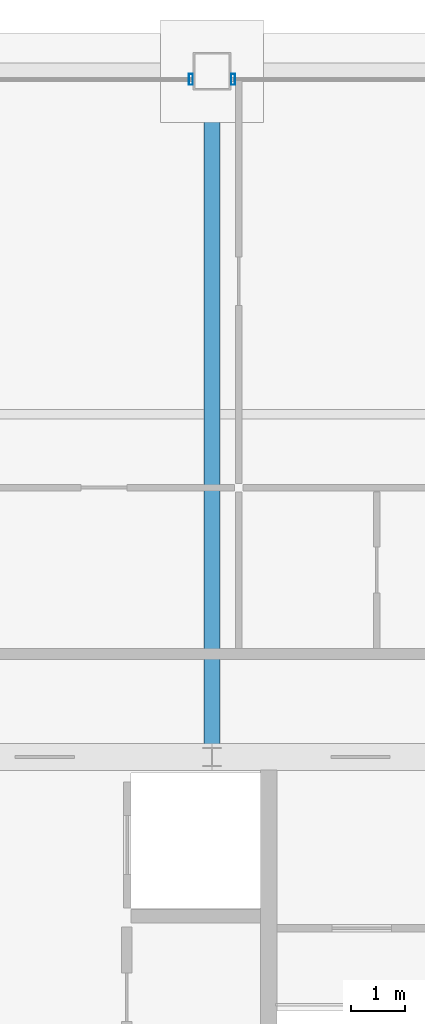
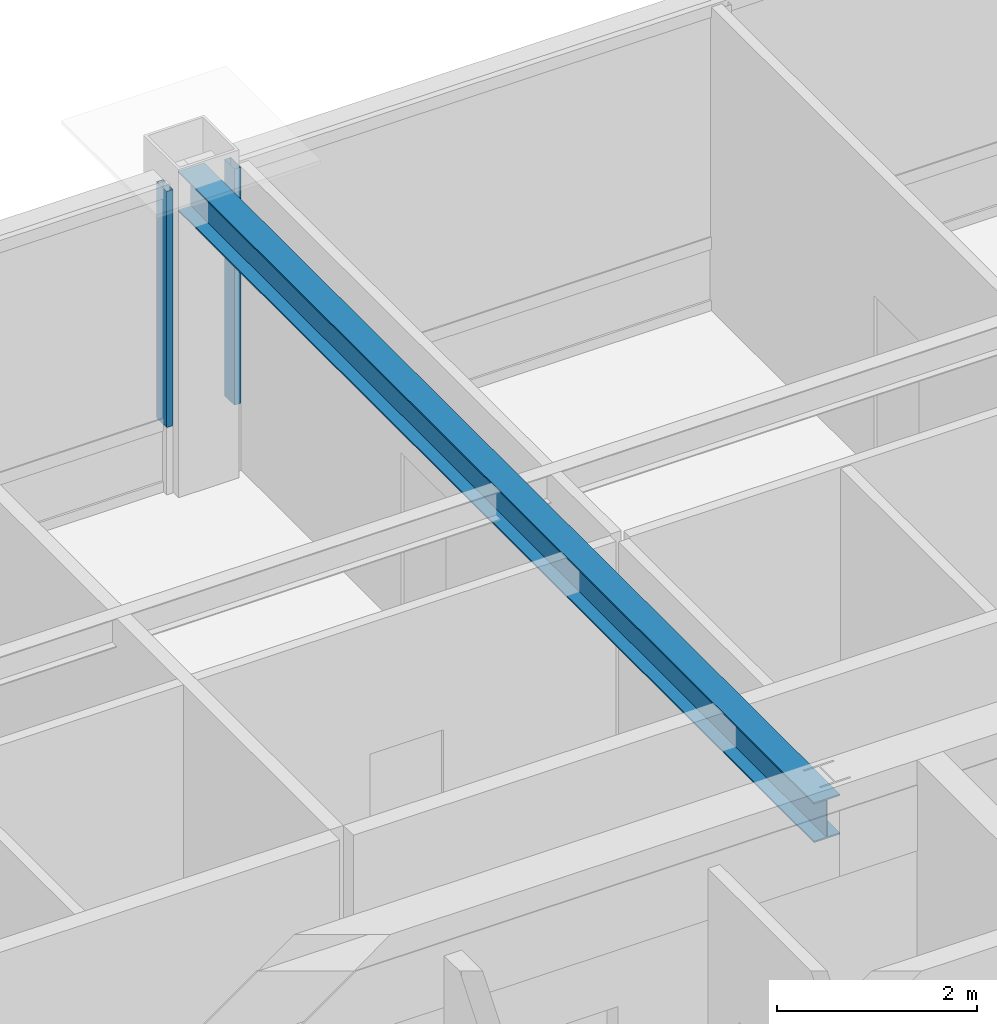
# One storey, part 18 of 34: 2 members, 1 beam, 2 elements without a shape of their own.
"""IFC4 building model written with IfcOpenShell, lengths in metres."""

import ifcopenshell
import ifcopenshell.guid

model = None  # the IFC model being written
_history = None  # IfcOwnerHistory: only IFC2X3 demands one
_inside = {}  # id of a spatial element -> (the spatial element, [elements in it])
_under = {}  # id of a project, library or spatial element -> (it, [spatial elements below it])
_declared = {}  # id of a project -> (the project, [libraries it declares])
_typed = {}  # id of a type object -> (the type object, [elements of that type])
_made_of = {}  # id of a material, layer set ... -> (it, [elements and type objects made of it])


def new_model(schema):
    """Start an empty IFC model of exactly this schema.

    Asked for "IFC4X3", IfcOpenShell would pick the latest addendum, in which some entities
    have other attributes; the version numbers below select the first issue.
    IFC2X3 requires an IfcOwnerHistory on every rooted entity: one is made here for all.
    """
    global model, _history
    if schema == "IFC4X3":
        model = ifcopenshell.file(schema_version=(4, 3, 0, 0))
    else:
        model = ifcopenshell.file(schema=schema)
    _inside.clear()
    _under.clear()
    _declared.clear()
    _typed.clear()
    _made_of.clear()
    _history = None
    if model.schema == "IFC2X3":
        org = make("IfcOrganization", Name="unknown")
        user = make(
            "IfcPersonAndOrganization",
            ThePerson=make("IfcPerson", FamilyName="unknown"),
            TheOrganization=org,
        )
        app = make(
            "IfcApplication",
            ApplicationDeveloper=org,
            Version="unknown",
            ApplicationFullName="unknown",
            ApplicationIdentifier="unknown",
        )
        _history = make(
            "IfcOwnerHistory",
            OwningUser=user,
            OwningApplication=app,
            ChangeAction="ADDED",
            CreationDate=0,
        )
    return model


def make(cls, **values):
    """One entity of the class cls with the attributes given. An attribute that is None is left unset."""
    return model.create_entity(
        cls, **{name: value for name, value in values.items() if value is not None}
    )


def rooted(cls, **values):
    """An entity with a GlobalId (a new one), such as an element, a storey or a relation."""
    return make(cls, GlobalId=ifcopenshell.guid.new(), OwnerHistory=_history, **values)


def si_unit(unit_type, name, prefix=None):
    """IfcSIUnit, for example si_unit("LENGTHUNIT", "METRE", prefix="MILLI")."""
    return make("IfcSIUnit", UnitType=unit_type, Prefix=prefix, Name=name)


def assignment(units):
    """IfcUnitAssignment: the units of a project."""
    return None if units is None else make("IfcUnitAssignment", Units=units)


def point(xyz):
    """IfcCartesianPoint."""
    return None if xyz is None else make("IfcCartesianPoint", Coordinates=xyz)


def direction(xyz):
    """IfcDirection."""
    return None if xyz is None else make("IfcDirection", DirectionRatios=xyz)


def frame(location, z_axis=None, x_axis=None):
    """IfcAxis2Placement3D, a coordinate frame: its origin and axes. An axis left out is left unset."""
    return make(
        "IfcAxis2Placement3D",
        Location=point(location),
        Axis=direction(z_axis),
        RefDirection=direction(x_axis),
    )


def frame_2d(location, x_axis=None):
    """IfcAxis2Placement2D, a coordinate frame in the plane: its origin and x axis."""
    return make(
        "IfcAxis2Placement2D", Location=point(location), RefDirection=direction(x_axis)
    )


def origin():
    """The frame at (0, 0, 0) with its axes left unset."""
    return frame((0.0, 0.0, 0.0))


def origin_2d():
    """The frame at (0, 0) in the plane with its x axis left unset."""
    return frame_2d((0.0, 0.0))


def place(relative_to, where):
    """IfcLocalPlacement: puts the frame where relative to a parent placement (None: the world)."""
    return make(
        "IfcLocalPlacement", PlacementRelTo=relative_to, RelativePlacement=where
    )


def context(
    kind, dimensions, precision=None, world=None, true_north=None, identifier=None
):
    """IfcGeometricRepresentationContext, for example the 3D "Model" context."""
    return make(
        "IfcGeometricRepresentationContext",
        ContextIdentifier=identifier,
        ContextType=kind,
        CoordinateSpaceDimension=dimensions,
        Precision=precision,
        WorldCoordinateSystem=world,
        TrueNorth=true_north,
    )


def subcontext(parent, identifier, kind, view, scale=None):
    """IfcGeometricRepresentationSubContext, for example "Body" below "Model"."""
    return make(
        "IfcGeometricRepresentationSubContext",
        ContextIdentifier=identifier,
        ContextType=kind,
        ParentContext=parent,
        TargetScale=scale,
        TargetView=view,
    )


def project(units=None, contexts=None):
    """IfcProject with its units and contexts."""
    return rooted(
        "IfcProject",
        Name="project",
        RepresentationContexts=contexts,
        UnitsInContext=assignment(units),
    )


def spatial(cls, under=None, at=None, **own):
    """A site, building, storey or space (cls), placed at a placement, below another one or the project."""
    s = rooted(cls, ObjectPlacement=at, **own)
    if under is not None:
        _under.setdefault(under.id(), (under, []))[1].append(s)
    return s


def profile(cls, at=None, kind="AREA", **sizes):
    """A parametric profile (cls). Its sizes go by their IFC names, for example OverallWidth=200.0."""
    return make(cls, ProfileType=kind, Position=at, **sizes)


def hollow_rectangle(**sizes):
    """IfcRectangleHollowProfileDef."""
    return profile("IfcRectangleHollowProfileDef", **sizes)


def i_section(**sizes):
    """IfcIShapeProfileDef."""
    return profile("IfcIShapeProfileDef", **sizes)


def extrude(swept, where, along, depth):
    """IfcExtrudedAreaSolid: the profile swept, set in the frame where, extruded along a direction by depth."""
    return make(
        "IfcExtrudedAreaSolid",
        SweptArea=swept,
        Position=where,
        ExtrudedDirection=direction(along),
        Depth=depth,
    )


def shape(context_of_items, identifier, shape_type, items):
    """IfcShapeRepresentation: the items that make up one representation, for example the "Body"."""
    return make(
        "IfcShapeRepresentation",
        ContextOfItems=context_of_items,
        RepresentationIdentifier=identifier,
        RepresentationType=shape_type,
        Items=items,
    )


def source(mapping_origin, context_of_items, identifier, shape_type, items):
    """IfcRepresentationMap: a shape defined once, which mapped items show again and again."""
    return make(
        "IfcRepresentationMap",
        MappingOrigin=mapping_origin,
        MappedRepresentation=shape(context_of_items, identifier, shape_type, items),
    )


def transform(
    local_origin,
    x_axis=None,
    y_axis=None,
    z_axis=None,
    scale=None,
    scale2=None,
    scale3=None,
    uniform=True,
):
    """IfcCartesianTransformationOperator3D, or its non-uniform kind. x_axis, y_axis, z_axis: its Axis1, 2, 3."""
    if uniform:
        return make(
            "IfcCartesianTransformationOperator3D",
            Axis1=direction(x_axis),
            Axis2=direction(y_axis),
            LocalOrigin=point(local_origin),
            Scale=scale,
            Axis3=direction(z_axis),
        )
    return make(
        "IfcCartesianTransformationOperator3DnonUniform",
        Axis1=direction(x_axis),
        Axis2=direction(y_axis),
        LocalOrigin=point(local_origin),
        Scale=scale,
        Axis3=direction(z_axis),
        Scale2=scale2,
        Scale3=scale3,
    )


def mapped(mapping_source, mapping_target):
    """IfcMappedItem: shows the shape of a source again, moved by a transform."""
    return make(
        "IfcMappedItem", MappingSource=mapping_source, MappingTarget=mapping_target
    )


def material(Name=None, Category=None):
    """IfcMaterial."""
    return make("IfcMaterial", Name=Name, Category=Category)


def layer(
    of_material, thickness, ventilated=None, Name=None, Category=None, Priority=None
):
    """IfcMaterialLayer: one layer of a wall or slab, of a material (None: an air gap)."""
    return make(
        "IfcMaterialLayer",
        Material=of_material,
        LayerThickness=thickness,
        IsVentilated=ventilated,
        Name=Name,
        Category=Category,
        Priority=Priority,
    )


def layer_set(layers, Name=None):
    """IfcMaterialLayerSet."""
    return make("IfcMaterialLayerSet", MaterialLayers=layers, LayerSetName=Name)


def material_profile(
    of_material, cross_section, Name=None, Category=None, Priority=None
):
    """IfcMaterialProfile: a cross section and its material."""
    return make(
        "IfcMaterialProfile",
        Name=Name,
        Material=of_material,
        Profile=cross_section,
        Priority=Priority,
        Category=Category,
    )


def profile_set(profiles, Name=None, composite=None):
    """IfcMaterialProfileSet."""
    return make(
        "IfcMaterialProfileSet",
        Name=Name,
        MaterialProfiles=profiles,
        CompositeProfile=composite,
    )


def made_of(thing, what):
    """Note that an element or type object is made of a material, layer set ...; save() writes the relation."""
    if what is not None:
        _made_of.setdefault(what.id(), (what, []))[1].append(thing)
    return thing


def type_object(cls, material=None, **own):
    """A type object (cls), such as IfcWallType, which elements share."""
    return made_of(rooted(cls, **own), material)


def element(
    cls,
    number,
    at=None,
    inside=None,
    cuts=None,
    type_object=None,
    material=None,
    context=None,
    identifier="Body",
    shape_type=None,
    held_by="IfcProductDefinitionShape",
    body=None,
    shapes=None,
    **own,
):
    """One element of the class cls, such as IfcWall. Its Tag is "e" and its number.

    at: its placement. inside: the storey or other place that contains it. cuts: it is an
    opening in that element (IfcRelVoidsElement). A single representation is given by context,
    identifier, shape_type and body (its items); several are given by shapes. held_by: the class
    of the entity that holds the representations. save() writes the other relations.
    """
    e = rooted(cls, Tag="e%d" % number, ObjectPlacement=at, **own)
    if body is not None:
        shapes = [shape(context, identifier, shape_type, body)]
    if shapes is not None:
        e.Representation = make(held_by, Representations=shapes)
    if inside is not None:
        _inside.setdefault(inside.id(), (inside, []))[1].append(e)
    if cuts is not None:
        rooted(
            "IfcRelVoidsElement", RelatingBuildingElement=cuts, RelatedOpeningElement=e
        )
    if type_object is not None:
        _typed.setdefault(type_object.id(), (type_object, []))[1].append(e)
    return made_of(e, material)


def aggregate(whole, parts):
    """IfcRelAggregates: a whole, such as a stair, and the parts it consists of."""
    return rooted("IfcRelAggregates", RelatingObject=whole, RelatedObjects=parts)


def save(model, path):
    """Write the relations noted so far, then the file.

    IfcRelAggregates (storeys below a building ...), IfcRelContainedInSpatialStructure (elements
    in a storey), IfcRelDefinesByType, IfcRelAssociatesMaterial and IfcRelDeclares: one each for
    every whole, place, type object, material and project.
    """
    for whole, parts in _under.values():
        aggregate(whole, parts)
    for where, things in _inside.values():
        rooted(
            "IfcRelContainedInSpatialStructure",
            RelatedElements=things,
            RelatingStructure=where,
        )
    for kind, things in _typed.values():
        rooted("IfcRelDefinesByType", RelatedObjects=things, RelatingType=kind)
    for what, things in _made_of.values():
        rooted("IfcRelAssociatesMaterial", RelatedObjects=things, RelatingMaterial=what)
    for by, libraries in _declared.values():
        rooted("IfcRelDeclares", RelatingContext=by, RelatedDefinitions=libraries)
    model.write(path)


model = new_model("IFC4")

# Units and contexts
model_context = context("Model", 3, precision=1e-05, world=origin(), true_north=direction((0.0, 1.0)))
body_context = subcontext(model_context, "Body", "Model", "MODEL_VIEW")
ifc_project = project(units=[si_unit("LENGTHUNIT", "METRE"), si_unit("AREAUNIT", "SQUARE_METRE"), si_unit("VOLUMEUNIT", "CUBIC_METRE"), si_unit("PLANEANGLEUNIT", "RADIAN"), si_unit("MASSUNIT", "GRAM", prefix="KILO"), si_unit("THERMODYNAMICTEMPERATUREUNIT", "KELVIN"), si_unit("POWERUNIT", "WATT")], contexts=[model_context])

# Site, building, storey
site_placement = place(None, origin())
site = spatial("IfcSite", under=ifc_project, at=site_placement, CompositionType="ELEMENT")
building_placement = place(site_placement, origin())
building = spatial("IfcBuilding", under=site, at=building_placement, Name="Yuzanri Waterfront Tower", CompositionType="ELEMENT")
storey_placement = place(building_placement, frame((0.0, 0.0, 347.199951171875)))
storey = spatial("IfcBuildingStorey", under=building, at=storey_placement, Name="L93", CompositionType="ELEMENT", Elevation=347.199951171875)

# Beam
ifc_material_1 = material(Name="Steel Q355B", Category="steel")
ifc_material_profile_1 = material_profile(ifc_material_1, i_section(OverallWidth=0.300048828125, OverallDepth=0.488037109375, WebThickness=0.010986328125, FlangeThickness=0.01806640625, at=origin_2d()), Name="HM 488x300x11x18")
ifc_profile_set_1 = profile_set([ifc_material_profile_1], Name="Steel Q355B")
beam_type = type_object("IfcBeamType", Name="Primary Floor Girder Q355B HM 488x300", PredefinedType="BEAM", material=ifc_profile_set_1)
shared_shape_1 = source(origin(), body_context, "Body", "SweptSolid", [
    extrude(i_section(OverallWidth=0.300048828125, OverallDepth=0.488037109375, WebThickness=0.010986328125, FlangeThickness=0.01806640625, at=origin_2d()), origin(), (0.0, 0.0, 1.0), 12.699951171875),
])
beam_placement = place(storey_placement, frame((37.0, 32.199951171875, 3.4560546875), z_axis=(0.0, 1.0, 0.0), x_axis=(-1.0, 0.0, 0.0)))
element("IfcBeam", 1, at=beam_placement, inside=storey, type_object=beam_type, Name="L93 North Grid Girder", PredefinedType="BEAM", context=body_context, shape_type="MappedRepresentation", body=[
    mapped(shared_shape_1, transform((0.0, 0.0, 0.0), scale=1.0)),
])

# Curtain wall, member
ifc_material_2 = material(Name="Anodized Architectural Bronze", Category="metal")
ifc_layer = layer(ifc_material_2, 0.159912109375)
ifc_layer_set = layer_set([ifc_layer], Name="Anodized Architectural Bronze")
curtain_wall_type = type_object("IfcCurtainWallType", Name="Anodized Bronze High-Rise Penthouse High-Wind Unitized Curtain Wall 6900", PredefinedType="NOTDEFINED", material=ifc_layer_set)
curtain_wall_1_placement = place(storey_placement, origin())
curtain_wall_1 = element("IfcCurtainWall", 2, at=curtain_wall_1_placement, inside=storey, type_object=curtain_wall_type, Name="L93 Curtain Wall CW-L93-NL", PredefinedType="NOTDEFINED")
ifc_material_3 = material(Name="Anodized Architectural Bronze", Category="metal")
ifc_material_profile_2 = material_profile(ifc_material_3, hollow_rectangle(XDim=0.074951171875, YDim=0.199951171875, WallThickness=0.00390625, at=origin_2d()), Name="CWM 75x200")
ifc_profile_set_2 = profile_set([ifc_material_profile_2], Name="Anodized Architectural Bronze")
member_type = type_object("IfcMemberType", Name="Anodized Bronze Primary Curtain-Wall Mullion 75x200", PredefinedType="MULLION", material=ifc_profile_set_2)
shared_shape_2 = source(origin(), body_context, "Body", "SweptSolid", [
    extrude(hollow_rectangle(XDim=0.074951171875, YDim=0.199951171875, WallThickness=0.00390625, at=origin_2d()), origin(), (0.0, 0.0, 1.0), 2.8779296875),
])
member_1_placement = place(storey_placement, frame((36.610107421875, 44.75, 0.822021484375), z_axis=(0.0, 0.0, 1.0), x_axis=(1.0, 0.0, 0.0)))
member_1 = element("IfcMember", 3, at=member_1_placement, type_object=member_type, Name="CW-L93-NL Upper Mullion 02", PredefinedType="MULLION", context=body_context, shape_type="MappedRepresentation", body=[
    mapped(shared_shape_2, transform((0.0, 0.0, 0.0), scale=1.0)),
])
aggregate(curtain_wall_1, [member_1])

curtain_wall_2_placement = place(storey_placement, origin())
curtain_wall_2 = element("IfcCurtainWall", 4, at=curtain_wall_2_placement, inside=storey, type_object=curtain_wall_type, Name="L93 Curtain Wall CW-L93-NR", PredefinedType="NOTDEFINED")
member_2_placement = place(storey_placement, frame((37.389892578125, 44.75, 0.822021484375), z_axis=(0.0, 0.0, 1.0), x_axis=(1.0, 0.0, 0.0)))
member_2 = element("IfcMember", 5, at=member_2_placement, type_object=member_type, Name="CW-L93-NR Upper Mullion 00", PredefinedType="MULLION", context=body_context, shape_type="MappedRepresentation", body=[
    mapped(shared_shape_2, transform((0.0, 0.0, 0.0), scale=1.0)),
])
aggregate(curtain_wall_2, [member_2])

save(model, "model.ifc")
